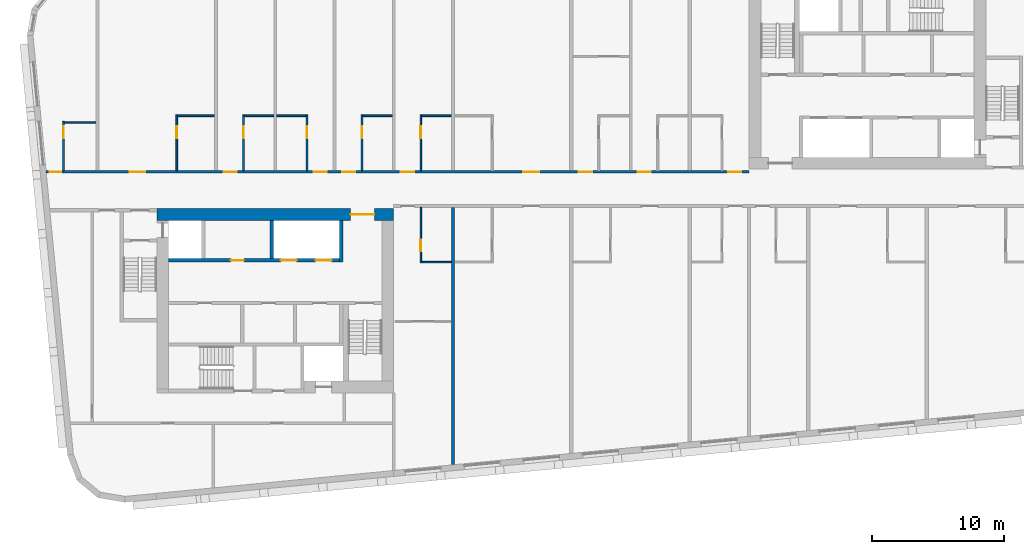
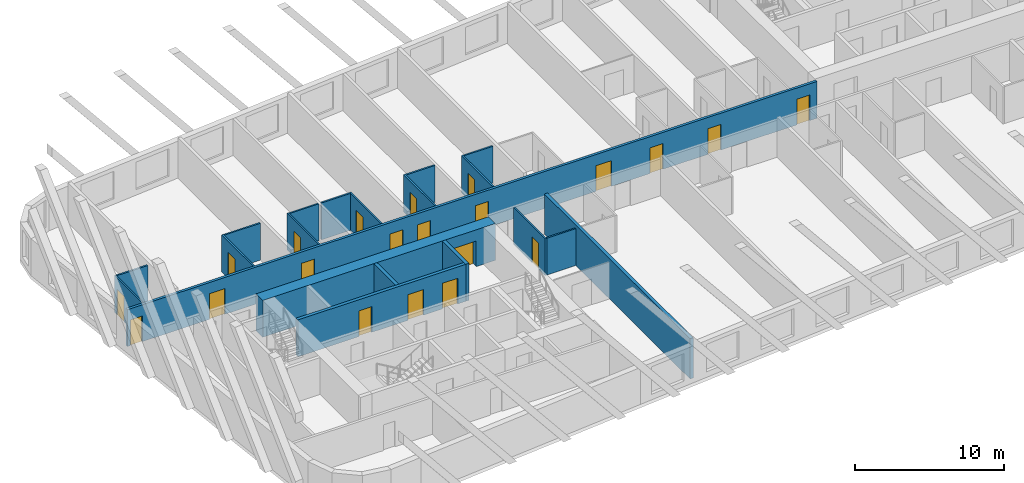
# One storey, part 3 of 12: 21 doors, 20 walls, 21 openings.
"""IFC4 building model written with IfcOpenShell, lengths in metres."""

from ifc_helpers import new_model, si_unit, direction, frame, frame_2d, origin, place, context, subcontext, project, spatial, rectangle, extrude, material, layer, layer_set, type_object, element, fill, save


model = new_model("IFC4")

# Units and contexts
model_context = context("Model", 3, precision=1e-05, world=origin(), true_north=direction((0.0, 1.0)))
body_context = subcontext(model_context, "Body", "Model", "MODEL_VIEW")
ifc_project = project(units=[si_unit("LENGTHUNIT", "METRE"), si_unit("AREAUNIT", "SQUARE_METRE"), si_unit("VOLUMEUNIT", "CUBIC_METRE"), si_unit("PLANEANGLEUNIT", "RADIAN"), si_unit("MASSUNIT", "GRAM", prefix="KILO")], contexts=[model_context])

# Site, building, storey
site_placement = place(None, origin())
site = spatial("IfcSite", under=ifc_project, at=site_placement, CompositionType="ELEMENT")
building_placement = place(site_placement, origin())
building = spatial("IfcBuilding", under=site, at=building_placement, Name="Kajstack Hotel Tower", CompositionType="ELEMENT")
storey_placement = place(building_placement, frame((0.0, 0.0, 288.300048828125)))
storey = spatial("IfcBuildingStorey", under=building, at=storey_placement, Name="L72", CompositionType="ELEMENT", Elevation=288.300048828125)

# Wall, opening, door
ifc_material_1 = material(Name="Concrete C60/75", Category="concrete")
ifc_layer_1 = layer(ifc_material_1, 0.89990234375)
ifc_layer_set_1 = layer_set([ifc_layer_1], Name="Core wall 900")
wall_type_1 = type_object("IfcWallType", Name="Core wall 900", PredefinedType="SHEAR", material=ifc_layer_set_1)
wall_1_placement = place(storey_placement, frame((-31.5, -1.949951171875, 0.0), z_axis=(0.0, 0.0, 1.0), x_axis=(1.0, 0.0, 0.0)))
wall_1 = element("IfcWall", 1, at=wall_1_placement, inside=storey, type_object=wall_type_1, Name="Core wall W RN", PredefinedType="SHEAR", context=body_context, shape_type="SweptSolid", body=[
    extrude(rectangle(XDim=18.0, YDim=0.89990234375, at=frame_2d((9.0, 0.0))), origin(), (0.0, 0.0, 1.0), 3.02001953125),
])
opening_1_placement = place(wall_1_placement, frame((14.72509765625, 0.0, 0.0)))
opening_1 = element("IfcOpeningElement", 2, at=opening_1_placement, cuts=wall_1, Name="Opening 72W05", PredefinedType="OPENING", context=body_context, shape_type="SweptSolid", body=[
    extrude(rectangle(XDim=1.800048828125, YDim=2.10009765625, at=frame_2d((0.89990234375, 1.050048828125))), frame((0.0, 0.4599609375, 0.0), z_axis=(0.0, -1.0, 0.0), x_axis=(1.0, 0.0, 0.0)), (0.0, 0.0, 1.0), 0.919921875),
])
ifc_material_2 = material(Name="Glazed steel frame, fire-rated glass", Category="steel")
door_type_1 = type_object("IfcDoorType", Name="Lobby double door 1800", OperationType="DOUBLE_DOOR_DOUBLE_SWING", PredefinedType="DOOR", material=ifc_material_2)
door_1_placement = place(opening_1_placement, origin())
door_1 = element("IfcDoor", 3, at=door_1_placement, inside=storey, type_object=door_type_1, Name="Door 72W05", OperationType="DOUBLE_DOOR_DOUBLE_SWING", OverallHeight=2.10009765625, OverallWidth=1.800048828125, PredefinedType="DOOR", context=body_context, shape_type="SweptSolid", body=[
    extrude(rectangle(XDim=1.800048828125, YDim=2.10009765625, at=frame_2d((0.89990234375, 1.050048828125))), frame((0.0, 0.02490234375, 0.0), z_axis=(0.0, -1.0, 0.0), x_axis=(1.0, 0.0, 0.0)), (0.0, 0.0, 1.0), 0.050048828125),
])
fill(opening_1, door_1)

# Wall, openings, doors
ifc_material_3 = material(Name="Gypsum board on steel studs, mineral wool", Category="steel")
ifc_layer_2 = layer(ifc_material_3, 0.199951171875)
ifc_layer_set_2 = layer_set([ifc_layer_2], Name="Corridor wall 200")
wall_type_2 = type_object("IfcWallType", Name="Corridor wall 200", PredefinedType="PARTITIONING", material=ifc_layer_set_2)
wall_2_placement = place(storey_placement, frame((-39.908935546875, 1.300048828125, 0.0), z_axis=(0.0, 0.0, 1.0), x_axis=(1.0, 0.0, 0.0)))
wall_2 = element("IfcWall", 4, at=wall_2_placement, inside=storey, type_object=wall_type_2, Name="G-wall-L72-003", PredefinedType="PARTITIONING", context=body_context, shape_type="SweptSolid", body=[
    extrude(rectangle(XDim=53.408935546875, YDim=0.199951171875, at=frame_2d((26.70458984375, 0.0))), origin(), (0.0, 0.0, 1.0), 3.02001953125),
])
opening_2_placement = place(wall_2_placement, frame((0.2548828125, 0.0, 0.0)))
opening_2 = element("IfcOpeningElement", 5, at=opening_2_placement, cuts=wall_2, Name="Opening 72001", PredefinedType="OPENING", context=body_context, shape_type="SweptSolid", body=[
    extrude(rectangle(XDim=0.89990234375, YDim=2.10009765625, at=frame_2d((0.449951171875, 1.050048828125))), frame((0.0, 0.10986328125, 0.0), z_axis=(0.0, -1.0, 0.0), x_axis=(1.0, 0.0, 0.0)), (0.0, 0.0, 1.0), 0.219970703125),
])
opening_3_placement = place(wall_2_placement, frame((6.346923828125, 0.0, 0.0)))
opening_3 = element("IfcOpeningElement", 6, at=opening_3_placement, cuts=wall_2, Name="Opening 72003", PredefinedType="OPENING", context=body_context, shape_type="SweptSolid", body=[
    extrude(rectangle(XDim=1.199951171875, YDim=2.10009765625, at=frame_2d((0.60009765625, 1.050048828125))), frame((0.0, 0.10986328125, 0.0), z_axis=(0.0, -1.0, 0.0), x_axis=(1.0, 0.0, 0.0)), (0.0, 0.0, 1.0), 0.219970703125),
])
opening_4_placement = place(wall_2_placement, frame((13.48388671875, 0.0, 0.0)))
opening_4 = element("IfcOpeningElement", 7, at=opening_4_placement, cuts=wall_2, Name="Opening 72005", PredefinedType="OPENING", context=body_context, shape_type="SweptSolid", body=[
    extrude(rectangle(XDim=1.0, YDim=2.10009765625, at=frame_2d((0.5, 1.050048828125))), frame((0.0, 0.10986328125, 0.0), z_axis=(0.0, -1.0, 0.0), x_axis=(1.0, 0.0, 0.0)), (0.0, 0.0, 1.0), 0.219970703125),
])
opening_5_placement = place(wall_2_placement, frame((20.333984375, 0.0, 0.0)))
opening_5 = element("IfcOpeningElement", 8, at=opening_5_placement, cuts=wall_2, Name="Opening 72007", PredefinedType="OPENING", context=body_context, shape_type="SweptSolid", body=[
    extrude(rectangle(XDim=1.0, YDim=2.10009765625, at=frame_2d((0.5, 1.050048828125))), frame((0.0, 0.10986328125, 0.0), z_axis=(0.0, -1.0, 0.0), x_axis=(1.0, 0.0, 0.0)), (0.0, 0.0, 1.0), 0.219970703125),
])
opening_6_placement = place(wall_2_placement, frame((22.48388671875, 0.0, 0.0)))
opening_6 = element("IfcOpeningElement", 9, at=opening_6_placement, cuts=wall_2, Name="Opening 72009", PredefinedType="OPENING", context=body_context, shape_type="SweptSolid", body=[
    extrude(rectangle(XDim=1.0, YDim=2.10009765625, at=frame_2d((0.5, 1.050048828125))), frame((0.0, 0.10986328125, 0.0), z_axis=(0.0, -1.0, 0.0), x_axis=(1.0, 0.0, 0.0)), (0.0, 0.0, 1.0), 0.219970703125),
])
opening_7_placement = place(wall_2_placement, frame((26.958984375, 0.0, 0.0)))
opening_7 = element("IfcOpeningElement", 10, at=opening_7_placement, cuts=wall_2, Name="Opening 72011", PredefinedType="OPENING", context=body_context, shape_type="SweptSolid", body=[
    extrude(rectangle(XDim=1.0, YDim=2.10009765625, at=frame_2d((0.5, 1.050048828125))), frame((0.0, 0.10986328125, 0.0), z_axis=(0.0, -1.0, 0.0), x_axis=(1.0, 0.0, 0.0)), (0.0, 0.0, 1.0), 0.219970703125),
])
opening_8_placement = place(wall_2_placement, frame((36.27099609375, 0.0, 0.0)))
opening_8 = element("IfcOpeningElement", 11, at=opening_8_placement, cuts=wall_2, Name="Opening 72013", PredefinedType="OPENING", context=body_context, shape_type="SweptSolid", body=[
    extrude(rectangle(XDim=1.199951171875, YDim=2.10009765625, at=frame_2d((0.60009765625, 1.050048828125))), frame((0.0, 0.10986328125, 0.0), z_axis=(0.0, -1.0, 0.0), x_axis=(1.0, 0.0, 0.0)), (0.0, 0.0, 1.0), 0.219970703125),
])
opening_9_placement = place(wall_2_placement, frame((40.48388671875, 0.0, 0.0)))
opening_9 = element("IfcOpeningElement", 12, at=opening_9_placement, cuts=wall_2, Name="Opening 72015", PredefinedType="OPENING", context=body_context, shape_type="SweptSolid", body=[
    extrude(rectangle(XDim=1.0, YDim=2.10009765625, at=frame_2d((0.5, 1.050048828125))), frame((0.0, 0.10986328125, 0.0), z_axis=(0.0, -1.0, 0.0), x_axis=(1.0, 0.0, 0.0)), (0.0, 0.0, 1.0), 0.219970703125),
])
opening_10_placement = place(wall_2_placement, frame((44.958984375, 0.0, 0.0)))
opening_10 = element("IfcOpeningElement", 13, at=opening_10_placement, cuts=wall_2, Name="Opening 72018", PredefinedType="OPENING", context=body_context, shape_type="SweptSolid", body=[
    extrude(rectangle(XDim=1.0, YDim=2.10009765625, at=frame_2d((0.5, 1.050048828125))), frame((0.0, 0.10986328125, 0.0), z_axis=(0.0, -1.0, 0.0), x_axis=(1.0, 0.0, 0.0)), (0.0, 0.0, 1.0), 0.219970703125),
])
opening_11_placement = place(wall_2_placement, frame((51.833984375, 0.0, 0.0)))
opening_11 = element("IfcOpeningElement", 14, at=opening_11_placement, cuts=wall_2, Name="Opening 72020", PredefinedType="OPENING", context=body_context, shape_type="SweptSolid", body=[
    extrude(rectangle(XDim=1.0, YDim=2.10009765625, at=frame_2d((0.5, 1.050048828125))), frame((0.0, 0.10986328125, 0.0), z_axis=(0.0, -1.0, 0.0), x_axis=(1.0, 0.0, 0.0)), (0.0, 0.0, 1.0), 0.219970703125),
])
ifc_material_4 = material(Name="Oak veneer on timber core, fire-rated leaf", Category="wood")
door_type_2 = type_object("IfcDoorType", Name="Flat entrance door 1000", OperationType="SINGLE_SWING_LEFT", PredefinedType="DOOR", material=ifc_material_4)
door_2_placement = place(opening_4_placement, origin())
door_2 = element("IfcDoor", 15, at=door_2_placement, inside=storey, type_object=door_type_2, Name="G-door-L72-05", OperationType="SINGLE_SWING_RIGHT", OverallHeight=2.10009765625, OverallWidth=1.0, PredefinedType="DOOR", context=body_context, shape_type="SweptSolid", body=[
    extrude(rectangle(XDim=1.0, YDim=2.10009765625, at=frame_2d((0.5, 1.050048828125))), frame((0.0, 0.02490234375, 0.0), z_axis=(0.0, -1.0, 0.0), x_axis=(1.0, 0.0, 0.0)), (0.0, 0.0, 1.0), 0.050048828125),
])
fill(opening_4, door_2)
door_3_placement = place(opening_5_placement, origin())
door_3 = element("IfcDoor", 16, at=door_3_placement, inside=storey, type_object=door_type_2, Name="G-door-L72-07", OperationType="SINGLE_SWING_LEFT", OverallHeight=2.10009765625, OverallWidth=1.0, PredefinedType="DOOR", context=body_context, shape_type="SweptSolid", body=[
    extrude(rectangle(XDim=1.0, YDim=2.10009765625, at=frame_2d((0.5, 1.050048828125))), frame((0.0, 0.02490234375, 0.0), z_axis=(0.0, -1.0, 0.0), x_axis=(1.0, 0.0, 0.0)), (0.0, 0.0, 1.0), 0.050048828125),
])
fill(opening_5, door_3)
door_4_placement = place(opening_6_placement, origin())
door_4 = element("IfcDoor", 17, at=door_4_placement, inside=storey, type_object=door_type_2, Name="G-door-L72-09", OperationType="SINGLE_SWING_LEFT", OverallHeight=2.10009765625, OverallWidth=1.0, PredefinedType="DOOR", context=body_context, shape_type="SweptSolid", body=[
    extrude(rectangle(XDim=1.0, YDim=2.10009765625, at=frame_2d((0.5, 1.050048828125))), frame((0.0, 0.02490234375, 0.0), z_axis=(0.0, -1.0, 0.0), x_axis=(1.0, 0.0, 0.0)), (0.0, 0.0, 1.0), 0.050048828125),
])
fill(opening_6, door_4)
door_5_placement = place(opening_7_placement, origin())
door_5 = element("IfcDoor", 18, at=door_5_placement, inside=storey, type_object=door_type_2, Name="G-door-L72-11", OperationType="SINGLE_SWING_RIGHT", OverallHeight=2.10009765625, OverallWidth=1.0, PredefinedType="DOOR", context=body_context, shape_type="SweptSolid", body=[
    extrude(rectangle(XDim=1.0, YDim=2.10009765625, at=frame_2d((0.5, 1.050048828125))), frame((0.0, 0.02490234375, 0.0), z_axis=(0.0, -1.0, 0.0), x_axis=(1.0, 0.0, 0.0)), (0.0, 0.0, 1.0), 0.050048828125),
])
fill(opening_7, door_5)
door_6_placement = place(opening_9_placement, origin())
door_6 = element("IfcDoor", 19, at=door_6_placement, inside=storey, type_object=door_type_2, Name="G-door-L72-15", OperationType="SINGLE_SWING_LEFT", OverallHeight=2.10009765625, OverallWidth=1.0, PredefinedType="DOOR", context=body_context, shape_type="SweptSolid", body=[
    extrude(rectangle(XDim=1.0, YDim=2.10009765625, at=frame_2d((0.5, 1.050048828125))), frame((0.0, 0.02490234375, 0.0), z_axis=(0.0, -1.0, 0.0), x_axis=(1.0, 0.0, 0.0)), (0.0, 0.0, 1.0), 0.050048828125),
])
fill(opening_9, door_6)
door_7_placement = place(opening_10_placement, origin())
door_7 = element("IfcDoor", 20, at=door_7_placement, inside=storey, type_object=door_type_2, Name="G-door-L72-18", OperationType="SINGLE_SWING_RIGHT", OverallHeight=2.10009765625, OverallWidth=1.0, PredefinedType="DOOR", context=body_context, shape_type="SweptSolid", body=[
    extrude(rectangle(XDim=1.0, YDim=2.10009765625, at=frame_2d((0.5, 1.050048828125))), frame((0.0, 0.02490234375, 0.0), z_axis=(0.0, -1.0, 0.0), x_axis=(1.0, 0.0, 0.0)), (0.0, 0.0, 1.0), 0.050048828125),
])
fill(opening_10, door_7)
door_8_placement = place(opening_11_placement, origin())
door_8 = element("IfcDoor", 21, at=door_8_placement, inside=storey, type_object=door_type_2, Name="G-door-L72-20", OperationType="SINGLE_SWING_RIGHT", OverallHeight=2.10009765625, OverallWidth=1.0, PredefinedType="DOOR", context=body_context, shape_type="SweptSolid", body=[
    extrude(rectangle(XDim=1.0, YDim=2.10009765625, at=frame_2d((0.5, 1.050048828125))), frame((0.0, 0.02490234375, 0.0), z_axis=(0.0, -1.0, 0.0), x_axis=(1.0, 0.0, 0.0)), (0.0, 0.0, 1.0), 0.050048828125),
])
fill(opening_11, door_8)
door_type_3 = type_object("IfcDoorType", Name="Flat entrance door 1200", OperationType="SINGLE_SWING_LEFT", PredefinedType="DOOR", material=ifc_material_4)
door_9_placement = place(opening_3_placement, origin())
door_9 = element("IfcDoor", 22, at=door_9_placement, inside=storey, type_object=door_type_3, Name="G-door-L72-03", OperationType="SINGLE_SWING_LEFT", OverallHeight=2.10009765625, OverallWidth=1.199951171875, PredefinedType="DOOR", context=body_context, shape_type="SweptSolid", body=[
    extrude(rectangle(XDim=1.199951171875, YDim=2.10009765625, at=frame_2d((0.60009765625, 1.050048828125))), frame((0.0, 0.02490234375, 0.0), z_axis=(0.0, -1.0, 0.0), x_axis=(1.0, 0.0, 0.0)), (0.0, 0.0, 1.0), 0.050048828125),
])
fill(opening_3, door_9)
door_10_placement = place(opening_8_placement, origin())
door_10 = element("IfcDoor", 23, at=door_10_placement, inside=storey, type_object=door_type_3, Name="G-door-L72-13", OperationType="SINGLE_SWING_RIGHT", OverallHeight=2.10009765625, OverallWidth=1.199951171875, PredefinedType="DOOR", context=body_context, shape_type="SweptSolid", body=[
    extrude(rectangle(XDim=1.199951171875, YDim=2.10009765625, at=frame_2d((0.60009765625, 1.050048828125))), frame((0.0, 0.02490234375, 0.0), z_axis=(0.0, -1.0, 0.0), x_axis=(1.0, 0.0, 0.0)), (0.0, 0.0, 1.0), 0.050048828125),
])
fill(opening_8, door_10)
ifc_material_5 = material(Name="Painted timber door leaf", Category="wood")
door_type_4 = type_object("IfcDoorType", Name="Room door 900", OperationType="SINGLE_SWING_LEFT", PredefinedType="DOOR", material=ifc_material_5)
door_11_placement = place(opening_2_placement, origin())
door_11 = element("IfcDoor", 24, at=door_11_placement, inside=storey, type_object=door_type_4, Name="G-door-L72-01", OperationType="SINGLE_SWING_LEFT", OverallHeight=2.10009765625, OverallWidth=0.89990234375, PredefinedType="DOOR", context=body_context, shape_type="SweptSolid", body=[
    extrude(rectangle(XDim=0.89990234375, YDim=2.10009765625, at=frame_2d((0.449951171875, 1.050048828125))), frame((0.0, 0.02490234375, 0.0), z_axis=(0.0, -1.0, 0.0), x_axis=(1.0, 0.0, 0.0)), (0.0, 0.0, 1.0), 0.050048828125),
])
fill(opening_2, door_11)

# Wall, opening, door
ifc_material_6 = material(Name="Gypsum board and tiled backer on steel studs", Category="steel")
ifc_layer_3 = layer(ifc_material_6, 0.125)
ifc_layer_set_3 = layer_set([ifc_layer_3], Name="En-suite wall 125")
wall_type_3 = type_object("IfcWallType", Name="En-suite wall 125", PredefinedType="PARTITIONING", material=ifc_layer_set_3)
wall_3_placement = place(storey_placement, frame((-38.5869140625, 1.39990234375, 0.0), z_axis=(0.0, 0.0, 1.0), x_axis=(0.0, 1.0, 0.0)))
wall_3 = element("IfcWall", 25, at=wall_3_placement, inside=storey, type_object=wall_type_3, Name="G-wall-L72-004", PredefinedType="PARTITIONING", context=body_context, shape_type="SweptSolid", body=[
    extrude(rectangle(XDim=3.72509765625, YDim=0.125, at=frame_2d((1.862548828125, 0.0))), origin(), (0.0, 0.0, 1.0), 3.02001953125),
])
opening_12_placement = place(wall_3_placement, frame((2.449951171875, 0.0, 0.0)))
opening_12 = element("IfcOpeningElement", 26, at=opening_12_placement, cuts=wall_3, Name="Opening 72002", PredefinedType="OPENING", context=body_context, shape_type="SweptSolid", body=[
    extrude(rectangle(XDim=0.89990234375, YDim=2.10009765625, at=frame_2d((0.449951171875, 1.050048828125))), frame((0.0, 0.072509765625, 0.0), z_axis=(0.0, -1.0, 0.0), x_axis=(1.0, 0.0, 0.0)), (0.0, 0.0, 1.0), 0.14501953125),
])
door_12_placement = place(opening_12_placement, origin())
door_12 = element("IfcDoor", 27, at=door_12_placement, inside=storey, type_object=door_type_4, Name="G-door-L72-02", OperationType="SINGLE_SWING_RIGHT", OverallHeight=2.10009765625, OverallWidth=0.89990234375, PredefinedType="DOOR", context=body_context, shape_type="SweptSolid", body=[
    extrude(rectangle(XDim=0.89990234375, YDim=2.10009765625, at=frame_2d((0.449951171875, 1.050048828125))), frame((0.0, 0.02490234375, 0.0), z_axis=(0.0, -1.0, 0.0), x_axis=(1.0, 0.0, 0.0)), (0.0, 0.0, 1.0), 0.050048828125),
])
fill(opening_12, door_12)

# Wall
wall_4_placement = place(storey_placement, frame((-38.52490234375, 5.06201171875, 0.0), z_axis=(0.0, 0.0, 1.0), x_axis=(1.0, 0.0, 0.0)))
element("IfcWall", 28, at=wall_4_placement, inside=storey, type_object=wall_type_3, Name="G-wall-L72-005", PredefinedType="PARTITIONING", context=body_context, shape_type="SweptSolid", body=[
    extrude(rectangle(XDim=2.39990234375, YDim=0.125, at=frame_2d((1.199951171875, 0.0))), origin(), (0.0, 0.0, 1.0), 3.02001953125),
])

# Wall, opening, door
wall_5_placement = place(storey_placement, frame((-29.988037109375, 1.39990234375, 0.0), z_axis=(0.0, 0.0, 1.0), x_axis=(0.0, 1.0, 0.0)))
wall_5 = element("IfcWall", 29, at=wall_5_placement, inside=storey, type_object=wall_type_3, Name="G-wall-L72-006", PredefinedType="PARTITIONING", context=body_context, shape_type="SweptSolid", body=[
    extrude(rectangle(XDim=4.22509765625, YDim=0.125, at=frame_2d((2.112548828125, 0.0))), origin(), (0.0, 0.0, 1.0), 3.02001953125),
])
opening_13_placement = place(wall_5_placement, frame((2.449951171875, 0.0, 0.0)))
opening_13 = element("IfcOpeningElement", 30, at=opening_13_placement, cuts=wall_5, Name="Opening 72004", PredefinedType="OPENING", context=body_context, shape_type="SweptSolid", body=[
    extrude(rectangle(XDim=0.89990234375, YDim=2.10009765625, at=frame_2d((0.449951171875, 1.050048828125))), frame((0.0, 0.072509765625, 0.0), z_axis=(0.0, -1.0, 0.0), x_axis=(1.0, 0.0, 0.0)), (0.0, 0.0, 1.0), 0.14501953125),
])
door_13_placement = place(opening_13_placement, origin())
door_13 = element("IfcDoor", 31, at=door_13_placement, inside=storey, type_object=door_type_4, Name="G-door-L72-04", OperationType="SINGLE_SWING_LEFT", OverallHeight=2.10009765625, OverallWidth=0.89990234375, PredefinedType="DOOR", context=body_context, shape_type="SweptSolid", body=[
    extrude(rectangle(XDim=0.89990234375, YDim=2.10009765625, at=frame_2d((0.449951171875, 1.050048828125))), frame((0.0, 0.02490234375, 0.0), z_axis=(0.0, -1.0, 0.0), x_axis=(1.0, 0.0, 0.0)), (0.0, 0.0, 1.0), 0.050048828125),
])
fill(opening_13, door_13)

# Wall
wall_6_placement = place(storey_placement, frame((-29.925048828125, 5.56201171875, 0.0), z_axis=(0.0, 0.0, 1.0), x_axis=(1.0, 0.0, 0.0)))
element("IfcWall", 32, at=wall_6_placement, inside=storey, type_object=wall_type_3, Name="G-wall-L72-007", PredefinedType="PARTITIONING", context=body_context, shape_type="SweptSolid", body=[
    extrude(rectangle(XDim=2.800048828125, YDim=0.125, at=frame_2d((1.39990234375, 0.0))), origin(), (0.0, 0.0, 1.0), 3.02001953125),
])

# Wall, opening, door
wall_7_placement = place(storey_placement, frame((-24.9130859375, 1.39990234375, 0.0), z_axis=(0.0, 0.0, 1.0), x_axis=(0.0, 1.0, 0.0)))
wall_7 = element("IfcWall", 33, at=wall_7_placement, inside=storey, type_object=wall_type_3, Name="G-wall-L72-009", PredefinedType="PARTITIONING", context=body_context, shape_type="SweptSolid", body=[
    extrude(rectangle(XDim=4.22509765625, YDim=0.125, at=frame_2d((2.112548828125, 0.0))), origin(), (0.0, 0.0, 1.0), 3.02001953125),
])
opening_14_placement = place(wall_7_placement, frame((2.449951171875, 0.0, 0.0)))
opening_14 = element("IfcOpeningElement", 34, at=opening_14_placement, cuts=wall_7, Name="Opening 72006", PredefinedType="OPENING", context=body_context, shape_type="SweptSolid", body=[
    extrude(rectangle(XDim=0.89990234375, YDim=2.10009765625, at=frame_2d((0.449951171875, 1.050048828125))), frame((0.0, 0.072509765625, 0.0), z_axis=(0.0, -1.0, 0.0), x_axis=(1.0, 0.0, 0.0)), (0.0, 0.0, 1.0), 0.14501953125),
])
door_14_placement = place(opening_14_placement, origin())
door_14 = element("IfcDoor", 35, at=door_14_placement, inside=storey, type_object=door_type_4, Name="G-door-L72-06", OperationType="SINGLE_SWING_LEFT", OverallHeight=2.10009765625, OverallWidth=0.89990234375, PredefinedType="DOOR", context=body_context, shape_type="SweptSolid", body=[
    extrude(rectangle(XDim=0.89990234375, YDim=2.10009765625, at=frame_2d((0.449951171875, 1.050048828125))), frame((0.0, 0.02490234375, 0.0), z_axis=(0.0, -1.0, 0.0), x_axis=(1.0, 0.0, 0.0)), (0.0, 0.0, 1.0), 0.050048828125),
])
fill(opening_14, door_14)

# Wall
wall_8_placement = place(storey_placement, frame((-24.85009765625, 5.56201171875, 0.0), z_axis=(0.0, 0.0, 1.0), x_axis=(1.0, 0.0, 0.0)))
element("IfcWall", 36, at=wall_8_placement, inside=storey, type_object=wall_type_3, Name="G-wall-L72-010", PredefinedType="PARTITIONING", context=body_context, shape_type="SweptSolid", body=[
    extrude(rectangle(XDim=2.25, YDim=0.125, at=frame_2d((1.125, 0.0))), origin(), (0.0, 0.0, 1.0), 3.02001953125),
])

# Wall, opening, door
wall_9_placement = place(storey_placement, frame((-20.0869140625, 1.39990234375, 0.0), z_axis=(0.0, 0.0, 1.0), x_axis=(0.0, 1.0, 0.0)))
wall_9 = element("IfcWall", 37, at=wall_9_placement, inside=storey, type_object=wall_type_3, Name="G-wall-L72-011", PredefinedType="PARTITIONING", context=body_context, shape_type="SweptSolid", body=[
    extrude(rectangle(XDim=4.22509765625, YDim=0.125, at=frame_2d((2.112548828125, 0.0))), origin(), (0.0, 0.0, 1.0), 3.02001953125),
])
opening_15_placement = place(wall_9_placement, frame((2.449951171875, 0.0, 0.0)))
opening_15 = element("IfcOpeningElement", 38, at=opening_15_placement, cuts=wall_9, Name="Opening 72008", PredefinedType="OPENING", context=body_context, shape_type="SweptSolid", body=[
    extrude(rectangle(XDim=0.89990234375, YDim=2.10009765625, at=frame_2d((0.449951171875, 1.050048828125))), frame((0.0, 0.072509765625, 0.0), z_axis=(0.0, -1.0, 0.0), x_axis=(1.0, 0.0, 0.0)), (0.0, 0.0, 1.0), 0.14501953125),
])
door_15_placement = place(opening_15_placement, origin())
door_15 = element("IfcDoor", 39, at=door_15_placement, inside=storey, type_object=door_type_4, Name="G-door-L72-08", OperationType="SINGLE_SWING_RIGHT", OverallHeight=2.10009765625, OverallWidth=0.89990234375, PredefinedType="DOOR", context=body_context, shape_type="SweptSolid", body=[
    extrude(rectangle(XDim=0.89990234375, YDim=2.10009765625, at=frame_2d((0.449951171875, 1.050048828125))), frame((0.0, 0.02490234375, 0.0), z_axis=(0.0, -1.0, 0.0), x_axis=(1.0, 0.0, 0.0)), (0.0, 0.0, 1.0), 0.050048828125),
])
fill(opening_15, door_15)

# Wall
wall_10_placement = place(storey_placement, frame((-22.39990234375, 5.56201171875, 0.0), z_axis=(0.0, 0.0, 1.0), x_axis=(1.0, 0.0, 0.0)))
element("IfcWall", 40, at=wall_10_placement, inside=storey, type_object=wall_type_3, Name="G-wall-L72-012", PredefinedType="PARTITIONING", context=body_context, shape_type="SweptSolid", body=[
    extrude(rectangle(XDim=2.25, YDim=0.125, at=frame_2d((1.125, 0.0))), origin(), (0.0, 0.0, 1.0), 3.02001953125),
])

# Wall, opening, door
wall_11_placement = place(storey_placement, frame((-15.912109375, 1.39990234375, 0.0), z_axis=(0.0, 0.0, 1.0), x_axis=(0.0, 1.0, 0.0)))
wall_11 = element("IfcWall", 41, at=wall_11_placement, inside=storey, type_object=wall_type_3, Name="G-wall-L72-014", PredefinedType="PARTITIONING", context=body_context, shape_type="SweptSolid", body=[
    extrude(rectangle(XDim=4.22509765625, YDim=0.125, at=frame_2d((2.112548828125, 0.0))), origin(), (0.0, 0.0, 1.0), 3.02001953125),
])
opening_16_placement = place(wall_11_placement, frame((2.449951171875, 0.0, 0.0)))
opening_16 = element("IfcOpeningElement", 42, at=opening_16_placement, cuts=wall_11, Name="Opening 72010", PredefinedType="OPENING", context=body_context, shape_type="SweptSolid", body=[
    extrude(rectangle(XDim=0.89990234375, YDim=2.10009765625, at=frame_2d((0.449951171875, 1.050048828125))), frame((0.0, 0.072509765625, 0.0), z_axis=(0.0, -1.0, 0.0), x_axis=(1.0, 0.0, 0.0)), (0.0, 0.0, 1.0), 0.14501953125),
])
door_16_placement = place(opening_16_placement, origin())
door_16 = element("IfcDoor", 43, at=door_16_placement, inside=storey, type_object=door_type_4, Name="G-door-L72-10", OperationType="SINGLE_SWING_RIGHT", OverallHeight=2.10009765625, OverallWidth=0.89990234375, PredefinedType="DOOR", context=body_context, shape_type="SweptSolid", body=[
    extrude(rectangle(XDim=0.89990234375, YDim=2.10009765625, at=frame_2d((0.449951171875, 1.050048828125))), frame((0.0, 0.02490234375, 0.0), z_axis=(0.0, -1.0, 0.0), x_axis=(1.0, 0.0, 0.0)), (0.0, 0.0, 1.0), 0.050048828125),
])
fill(opening_16, door_16)

# Wall
wall_12_placement = place(storey_placement, frame((-15.85009765625, 5.56201171875, 0.0), z_axis=(0.0, 0.0, 1.0), x_axis=(1.0, 0.0, 0.0)))
element("IfcWall", 44, at=wall_12_placement, inside=storey, type_object=wall_type_3, Name="G-wall-L72-015", PredefinedType="PARTITIONING", context=body_context, shape_type="SweptSolid", body=[
    extrude(rectangle(XDim=2.25, YDim=0.125, at=frame_2d((1.125, 0.0))), origin(), (0.0, 0.0, 1.0), 3.02001953125),
])

# Wall, opening, door
wall_13_placement = place(storey_placement, frame((-11.43798828125, 1.39990234375, 0.0), z_axis=(0.0, 0.0, 1.0), x_axis=(0.0, 1.0, 0.0)))
wall_13 = element("IfcWall", 45, at=wall_13_placement, inside=storey, type_object=wall_type_3, Name="G-wall-L72-016", PredefinedType="PARTITIONING", context=body_context, shape_type="SweptSolid", body=[
    extrude(rectangle(XDim=4.22509765625, YDim=0.125, at=frame_2d((2.112548828125, 0.0))), origin(), (0.0, 0.0, 1.0), 3.02001953125),
])
opening_17_placement = place(wall_13_placement, frame((2.449951171875, 0.0, 0.0)))
opening_17 = element("IfcOpeningElement", 46, at=opening_17_placement, cuts=wall_13, Name="Opening 72012", PredefinedType="OPENING", context=body_context, shape_type="SweptSolid", body=[
    extrude(rectangle(XDim=0.89990234375, YDim=2.10009765625, at=frame_2d((0.449951171875, 1.050048828125))), frame((0.0, 0.072509765625, 0.0), z_axis=(0.0, -1.0, 0.0), x_axis=(1.0, 0.0, 0.0)), (0.0, 0.0, 1.0), 0.14501953125),
])
door_17_placement = place(opening_17_placement, origin())
door_17 = element("IfcDoor", 47, at=door_17_placement, inside=storey, type_object=door_type_4, Name="G-door-L72-12", OperationType="SINGLE_SWING_LEFT", OverallHeight=2.10009765625, OverallWidth=0.89990234375, PredefinedType="DOOR", context=body_context, shape_type="SweptSolid", body=[
    extrude(rectangle(XDim=0.89990234375, YDim=2.10009765625, at=frame_2d((0.449951171875, 1.050048828125))), frame((0.0, 0.02490234375, 0.0), z_axis=(0.0, -1.0, 0.0), x_axis=(1.0, 0.0, 0.0)), (0.0, 0.0, 1.0), 0.050048828125),
])
fill(opening_17, door_17)

# Wall
wall_14_placement = place(storey_placement, frame((-11.375, 5.56201171875, 0.0), z_axis=(0.0, 0.0, 1.0), x_axis=(1.0, 0.0, 0.0)))
element("IfcWall", 48, at=wall_14_placement, inside=storey, type_object=wall_type_3, Name="G-wall-L72-017", PredefinedType="PARTITIONING", context=body_context, shape_type="SweptSolid", body=[
    extrude(rectangle(XDim=2.25, YDim=0.125, at=frame_2d((1.125, 0.0))), origin(), (0.0, 0.0, 1.0), 3.02001953125),
])

# Wall, opening, door
wall_15_placement = place(storey_placement, frame((-11.43798828125, -5.625, 0.0), z_axis=(0.0, 0.0, 1.0), x_axis=(0.0, 1.0, 0.0)))
wall_15 = element("IfcWall", 49, at=wall_15_placement, inside=storey, type_object=wall_type_3, Name="G-wall-L72-029", PredefinedType="PARTITIONING", context=body_context, shape_type="SweptSolid", body=[
    extrude(rectangle(XDim=4.22509765625, YDim=0.125, at=frame_2d((2.112548828125, 0.0))), origin(), (0.0, 0.0, 1.0), 3.02001953125),
])
opening_18_placement = place(wall_15_placement, frame((0.875, 0.0, 0.0)))
opening_18 = element("IfcOpeningElement", 50, at=opening_18_placement, cuts=wall_15, Name="Opening 72023", PredefinedType="OPENING", context=body_context, shape_type="SweptSolid", body=[
    extrude(rectangle(XDim=0.89990234375, YDim=2.10009765625, at=frame_2d((0.449951171875, 1.050048828125))), frame((0.0, 0.072509765625, 0.0), z_axis=(0.0, -1.0, 0.0), x_axis=(1.0, 0.0, 0.0)), (0.0, 0.0, 1.0), 0.14501953125),
])
door_18_placement = place(opening_18_placement, origin())
door_18 = element("IfcDoor", 51, at=door_18_placement, inside=storey, type_object=door_type_4, Name="G-door-L72-23", OperationType="SINGLE_SWING_RIGHT", OverallHeight=2.10009765625, OverallWidth=0.89990234375, PredefinedType="DOOR", context=body_context, shape_type="SweptSolid", body=[
    extrude(rectangle(XDim=0.89990234375, YDim=2.10009765625, at=frame_2d((0.449951171875, 1.050048828125))), frame((0.0, 0.02490234375, 0.0), z_axis=(0.0, -1.0, 0.0), x_axis=(1.0, 0.0, 0.0)), (0.0, 0.0, 1.0), 0.050048828125),
])
fill(opening_18, door_18)

# Walls
wall_16_placement = place(storey_placement, frame((-11.375, -5.56201171875, 0.0), z_axis=(0.0, 0.0, 1.0), x_axis=(1.0, 0.0, 0.0)))
element("IfcWall", 52, at=wall_16_placement, inside=storey, type_object=wall_type_3, Name="G-wall-L72-030", PredefinedType="PARTITIONING", context=body_context, shape_type="SweptSolid", body=[
    extrude(rectangle(XDim=2.25, YDim=0.125, at=frame_2d((1.125, 0.0))), origin(), (0.0, 0.0, 1.0), 3.02001953125),
])
ifc_material_7 = material(Name="Concrete C50/60", Category="concrete")
ifc_layer_4 = layer(ifc_material_7, 0.300048828125)
ifc_layer_set_4 = layer_set([ifc_layer_4], Name="Hoistway divider wall 300")
wall_type_4 = type_object("IfcWallType", Name="Hoistway divider wall 300", PredefinedType="SHEAR", material=ifc_layer_set_4)
wall_17_placement = place(storey_placement, frame((-22.77490234375, -5.300048828125, 0.0), z_axis=(0.0, 0.0, 1.0), x_axis=(0.0, 1.0, 0.0)))
element("IfcWall", 53, at=wall_17_placement, inside=storey, type_object=wall_type_4, Name="Core wall W AP2", PredefinedType="SHEAR", context=body_context, shape_type="SweptSolid", body=[
    extrude(rectangle(XDim=2.900146484375, YDim=0.25, at=frame_2d((1.4501953125, 0.0))), origin(), (0.0, 0.0, 1.0), 3.02001953125),
])
ifc_material_8 = material(Name="Concrete C40/50", Category="concrete")
ifc_layer_5 = layer(ifc_material_8, 0.25)
ifc_layer_set_5 = layer_set([ifc_layer_5], Name="RC cross wall 250 C40/50")
wall_type_5 = type_object("IfcWallType", Name="RC cross wall 250 C40/50", PredefinedType="SHEAR", material=ifc_layer_set_5)
wall_18_placement = place(storey_placement, frame((-9.0, -20.9404296875, 0.0), z_axis=(0.0, 0.0, 1.0), x_axis=(0.0, 1.0, 0.0)))
element("IfcWall", 54, at=wall_18_placement, inside=storey, type_object=wall_type_5, Name="S-wall-L72-04", PredefinedType="SHEAR", context=body_context, shape_type="SweptSolid", body=[
    extrude(rectangle(XDim=19.54052734375, YDim=0.25, at=frame_2d((9.770263671875, 0.0))), origin(), (0.0, 0.0, 1.0), 3.300048828125),
])

# Wall, openings, doors
ifc_layer_6 = layer(ifc_material_7, 0.25)
ifc_layer_set_6 = layer_set([ifc_layer_6], Name="Shaft wall 250")
wall_type_6 = type_object("IfcWallType", Name="Shaft wall 250", PredefinedType="SHEAR", material=ifc_layer_set_6)
wall_19_placement = place(storey_placement, frame((-30.60009765625, -5.425048828125, 0.0), z_axis=(0.0, 0.0, 1.0), x_axis=(1.0, 0.0, 0.0)))
wall_19 = element("IfcWall", 55, at=wall_19_placement, inside=storey, type_object=wall_type_6, Name="Core wall W FA", PredefinedType="SHEAR", context=body_context, shape_type="SweptSolid", body=[
    extrude(rectangle(XDim=13.0, YDim=0.25, at=frame_2d((6.5, 0.0))), origin(), (0.0, 0.0, 1.0), 3.02001953125),
])
opening_19_placement = place(wall_19_placement, frame((8.52490234375, 0.0, 0.0)))
opening_19 = element("IfcOpeningElement", 56, at=opening_19_placement, cuts=wall_19, Name="Opening LD-HR1", PredefinedType="OPENING", context=body_context, shape_type="SweptSolid", body=[
    extrude(rectangle(XDim=1.199951171875, YDim=2.10009765625, at=frame_2d((0.60009765625, 1.050048828125))), frame((0.0, 0.135009765625, 0.0), z_axis=(0.0, -1.0, 0.0), x_axis=(1.0, 0.0, 0.0)), (0.0, 0.0, 1.0), 0.27001953125),
])
opening_20_placement = place(wall_19_placement, frame((11.175048828125, 0.0, 0.0)))
opening_20 = element("IfcOpeningElement", 57, at=opening_20_placement, cuts=wall_19, Name="Opening LD-HR2", PredefinedType="OPENING", context=body_context, shape_type="SweptSolid", body=[
    extrude(rectangle(XDim=1.199951171875, YDim=2.10009765625, at=frame_2d((0.60009765625, 1.050048828125))), frame((0.0, 0.135009765625, 0.0), z_axis=(0.0, -1.0, 0.0), x_axis=(1.0, 0.0, 0.0)), (0.0, 0.0, 1.0), 0.27001953125),
])
opening_21_placement = place(wall_19_placement, frame((4.72509765625, 0.0, 0.0)))
opening_21 = element("IfcOpeningElement", 58, at=opening_21_placement, cuts=wall_19, Name="Opening 72W15", PredefinedType="OPENING", context=body_context, shape_type="SweptSolid", body=[
    extrude(rectangle(XDim=1.0, YDim=2.10009765625, at=frame_2d((0.5, 1.050048828125))), frame((0.0, 0.135009765625, 0.0), z_axis=(0.0, -1.0, 0.0), x_axis=(1.0, 0.0, 0.0)), (0.0, 0.0, 1.0), 0.27001953125),
])
ifc_material_9 = material(Name="Stainless steel", Category="steel")
door_type_5 = type_object("IfcDoorType", Name="Lift landing door 1200", OperationType="SLIDING_TO_LEFT", PredefinedType="DOOR", material=ifc_material_9)
door_19_placement = place(opening_19_placement, origin())
door_19 = element("IfcDoor", 59, at=door_19_placement, inside=storey, type_object=door_type_5, Name="Landing door HR1", OperationType="SLIDING_TO_LEFT", OverallHeight=2.10009765625, OverallWidth=1.199951171875, PredefinedType="DOOR", context=body_context, shape_type="SweptSolid", body=[
    extrude(rectangle(XDim=1.199951171875, YDim=2.10009765625, at=frame_2d((0.60009765625, 1.050048828125))), frame((0.0, 0.02490234375, 0.0), z_axis=(0.0, -1.0, 0.0), x_axis=(1.0, 0.0, 0.0)), (0.0, 0.0, 1.0), 0.050048828125),
])
fill(opening_19, door_19)
door_20_placement = place(opening_20_placement, origin())
door_20 = element("IfcDoor", 60, at=door_20_placement, inside=storey, type_object=door_type_5, Name="Landing door HR2", OperationType="SLIDING_TO_RIGHT", OverallHeight=2.10009765625, OverallWidth=1.199951171875, PredefinedType="DOOR", context=body_context, shape_type="SweptSolid", body=[
    extrude(rectangle(XDim=1.199951171875, YDim=2.10009765625, at=frame_2d((0.60009765625, 1.050048828125))), frame((0.0, 0.02490234375, 0.0), z_axis=(0.0, -1.0, 0.0), x_axis=(1.0, 0.0, 0.0)), (0.0, 0.0, 1.0), 0.050048828125),
])
fill(opening_20, door_20)
ifc_material_10 = material(Name="Timber leaf, fire-rated", Category="wood")
door_type_6 = type_object("IfcDoorType", Name="Service room door 1000", OperationType="SINGLE_SWING_LEFT", PredefinedType="DOOR", material=ifc_material_10)
door_21_placement = place(opening_21_placement, origin())
door_21 = element("IfcDoor", 61, at=door_21_placement, inside=storey, type_object=door_type_6, Name="Door 72W15", OperationType="SINGLE_SWING_RIGHT", OverallHeight=2.10009765625, OverallWidth=1.0, PredefinedType="DOOR", context=body_context, shape_type="SweptSolid", body=[
    extrude(rectangle(XDim=1.0, YDim=2.10009765625, at=frame_2d((0.5, 1.050048828125))), frame((0.0, 0.02490234375, 0.0), z_axis=(0.0, -1.0, 0.0), x_axis=(1.0, 0.0, 0.0)), (0.0, 0.0, 1.0), 0.050048828125),
])
fill(opening_21, door_21)

# Wall
wall_20_placement = place(storey_placement, frame((-17.47509765625, -5.550048828125, 0.0), z_axis=(0.0, 0.0, 1.0), x_axis=(0.0, 1.0, 0.0)))
element("IfcWall", 62, at=wall_20_placement, inside=storey, type_object=wall_type_6, Name="Core wall W AE", PredefinedType="SHEAR", context=body_context, shape_type="SweptSolid", body=[
    extrude(rectangle(XDim=3.150146484375, YDim=0.25, at=frame_2d((1.5751953125, 0.0))), origin(), (0.0, 0.0, 1.0), 3.02001953125),
])

save(model, "model.ifc")
